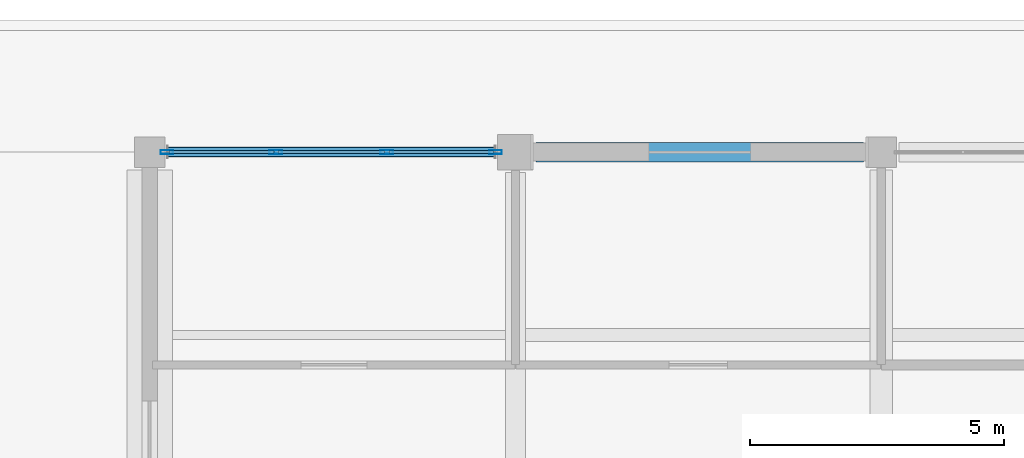
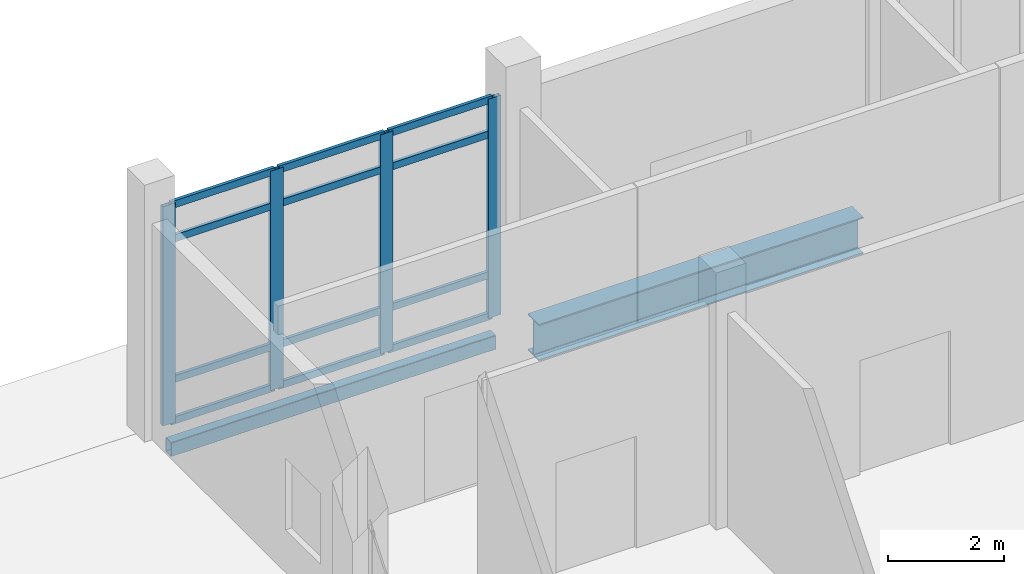
# One storey, part 135 of 229: 16 members, 2 beams, 1 element without a shape of its own.
"""IFC4 building model written with IfcOpenShell, lengths in metres."""

from ifc_helpers import new_model, si_unit, direction, frame, origin, origin_2d, place, context, subcontext, project, spatial, hollow_rectangle, i_section, extrude, material, layer, layer_set, material_profile, profile_set, type_object, element, aggregate, save


model = new_model("IFC4")

# Units and contexts
model_context = context("Model", 3, precision=1e-05, world=origin(), true_north=direction((0.0, 1.0)))
body_context = subcontext(model_context, "Body", "Model", "MODEL_VIEW")
ifc_project = project(units=[si_unit("LENGTHUNIT", "METRE"), si_unit("AREAUNIT", "SQUARE_METRE"), si_unit("VOLUMEUNIT", "CUBIC_METRE"), si_unit("PLANEANGLEUNIT", "RADIAN"), si_unit("MASSUNIT", "GRAM", prefix="KILO")], contexts=[model_context])

# Site, building, storey
site_placement = place(None, origin())
site = spatial("IfcSite", under=ifc_project, at=site_placement, CompositionType="ELEMENT")
building_placement = place(site_placement, origin())
building = spatial("IfcBuilding", under=site, at=building_placement, Name="Calvrana Isthmian Art Gallery", CompositionType="ELEMENT")
storey_placement = place(building_placement, origin())
storey = spatial("IfcBuildingStorey", under=building, at=storey_placement, Name="L00", CompositionType="ELEMENT", Elevation=0.0)

# Beams
ifc_material_1 = material(Name="Steel ASTM A992 Gr 50", Category="steel")
ifc_material_profile_1 = material_profile(ifc_material_1, i_section(OverallWidth=0.381103515625, OverallDepth=0.77197265625, WebThickness=0.0166015625, FlangeThickness=0.027099609375, FilletRadius=0.02490234375, at=origin_2d()), Name="W30X173")
ifc_profile_set_1 = profile_set([ifc_material_profile_1], Name="Steel ASTM A992 Gr 50")
beam_type_1 = type_object("IfcBeamType", Name="BM-G-W30X173", PredefinedType="BEAM", material=ifc_profile_set_1)
beam_1_placement = place(storey_placement, frame((142.0, 112.800048828125, -0.740966796875), z_axis=(1.0, 0.0, 0.0), x_axis=(0.0, 1.0, 0.0)))
element("IfcBeam", 1, at=beam_1_placement, inside=storey, type_object=beam_type_1, Name="Girder X L00 19-20/P", PredefinedType="BEAM", context=body_context, shape_type="SweptSolid", body=[
    extrude(i_section(OverallWidth=0.381103515625, OverallDepth=0.77197265625, WebThickness=0.0166015625, FlangeThickness=0.027099609375, FilletRadius=0.02490234375, at=origin_2d()), origin(), (0.0, 0.0, 1.0), 6.449951171875),
])
ifc_material_2 = material(Name="Steel ASTM A500 Gr C", Category="steel")
ifc_material_profile_2 = material_profile(ifc_material_2, hollow_rectangle(XDim=0.203125, YDim=0.3046875, WallThickness=0.0126953125, OuterFilletRadius=0.02490234375, at=origin_2d()), Name="HSS305X203X12.7")
ifc_profile_set_2 = profile_set([ifc_material_profile_2], Name="Steel ASTM A500 Gr C")
beam_type_2 = type_object("IfcBeamType", Name="BM-SP-HSS305", PredefinedType="SPANDREL", material=ifc_profile_set_2)
beam_2_placement = place(storey_placement, frame((134.75, 112.800048828125, -0.50732421875), z_axis=(1.0, 0.0, 0.0), x_axis=(0.0, 1.0, 0.0)))
element("IfcBeam", 2, at=beam_2_placement, inside=storey, type_object=beam_type_2, Name="Girder X L00 18-19/P", PredefinedType="SPANDREL", context=body_context, shape_type="SweptSolid", body=[
    extrude(hollow_rectangle(XDim=0.203125, YDim=0.3046875, WallThickness=0.0126953125, OuterFilletRadius=0.02490234375, at=origin_2d()), origin(), (0.0, 0.0, 1.0), 6.449951171875),
])

# Curtain wall, members
ifc_material_3 = material(Name="Anodized bronze aluminium 6063-T6", Category="aluminium")
ifc_layer = layer(ifc_material_3, 0.179931640625, Name="Anodized bronze aluminium 6063-T6")
ifc_layer_set = layer_set([ifc_layer], Name="Anodized bronze aluminium 6063-T6")
curtain_wall_type = type_object("IfcCurtainWallType", Name="CW-STICK-065X46", PredefinedType="NOTDEFINED", material=ifc_layer_set)
curtain_wall_placement = place(storey_placement, origin())
curtain_wall = element("IfcCurtainWall", 3, at=curtain_wall_placement, inside=storey, type_object=curtain_wall_type, Name="Curtain wall CW-047", PredefinedType="NOTDEFINED")
ifc_material_profile_3 = material_profile(ifc_material_3, hollow_rectangle(XDim=0.080078125, YDim=0.25, WallThickness=0.005615234375, at=origin_2d()), Name="CWM80X250")
ifc_profile_set_3 = profile_set([ifc_material_profile_3], Name="Anodized bronze aluminium 6063-T6")
member_type_1 = type_object("IfcMemberType", Name="CWM-CWM80X250", PredefinedType="MULLION", material=ifc_profile_set_3)
member_1_placement = place(storey_placement, frame((134.739990234375, 112.800048828125, 0.0), z_axis=(0.0, 0.0, 1.0), x_axis=(0.0, 1.0, 0.0)))
member_1 = element("IfcMember", 4, at=member_1_placement, type_object=member_type_1, Name="CW-047 mullion 1", PredefinedType="MULLION", context=body_context, shape_type="SweptSolid", body=[
    extrude(hollow_rectangle(XDim=0.080078125, YDim=0.25, WallThickness=0.005615234375, at=origin_2d()), origin(), (0.0, 0.0, 1.0), 4.60693359375),
])
member_2_placement = place(storey_placement, frame((136.88330078125, 112.800048828125, 0.0), z_axis=(0.0, 0.0, 1.0), x_axis=(0.0, 1.0, 0.0)))
member_2 = element("IfcMember", 5, at=member_2_placement, type_object=member_type_1, Name="CW-047 mullion 2", PredefinedType="MULLION", context=body_context, shape_type="SweptSolid", body=[
    extrude(hollow_rectangle(XDim=0.080078125, YDim=0.25, WallThickness=0.005615234375, at=origin_2d()), origin(), (0.0, 0.0, 1.0), 4.60693359375),
])
member_3_placement = place(storey_placement, frame((139.066650390625, 112.800048828125, 0.0), z_axis=(0.0, 0.0, 1.0), x_axis=(0.0, 1.0, 0.0)))
member_3 = element("IfcMember", 6, at=member_3_placement, type_object=member_type_1, Name="CW-047 mullion 3", PredefinedType="MULLION", context=body_context, shape_type="SweptSolid", body=[
    extrude(hollow_rectangle(XDim=0.080078125, YDim=0.25, WallThickness=0.005615234375, at=origin_2d()), origin(), (0.0, 0.0, 1.0), 4.60693359375),
])
member_4_placement = place(storey_placement, frame((141.2099609375, 112.800048828125, 0.0), z_axis=(0.0, 0.0, 1.0), x_axis=(0.0, 1.0, 0.0)))
member_4 = element("IfcMember", 7, at=member_4_placement, type_object=member_type_1, Name="CW-047 mullion 4", PredefinedType="MULLION", context=body_context, shape_type="SweptSolid", body=[
    extrude(hollow_rectangle(XDim=0.080078125, YDim=0.25, WallThickness=0.005615234375, at=origin_2d()), origin(), (0.0, 0.0, 1.0), 4.60693359375),
])
ifc_material_profile_4 = material_profile(ifc_material_3, hollow_rectangle(XDim=0.06494140625, YDim=0.14990234375, WallThickness=0.00390625, at=origin_2d()), Name="CWT65X150")
ifc_profile_set_4 = profile_set([ifc_material_profile_4], Name="Anodized bronze aluminium 6063-T6")
member_type_2 = type_object("IfcMemberType", Name="CWT-CWT65X150", PredefinedType="USERDEFINED", material=ifc_profile_set_4)
member_5_placement = place(storey_placement, frame((134.780029296875, 112.800048828125, 0.032470703125), z_axis=(1.0, 0.0, 0.0), x_axis=(0.0, 1.0, 0.0)))
member_5 = element("IfcMember", 8, at=member_5_placement, type_object=member_type_2, Name="CW-047 transom 1.1", ObjectType="TRANSOM", PredefinedType="USERDEFINED", context=body_context, shape_type="SweptSolid", body=[
    extrude(hollow_rectangle(XDim=0.06494140625, YDim=0.14990234375, WallThickness=0.00390625, at=origin_2d()), origin(), (0.0, 0.0, 1.0), 2.063232421875),
])
member_6_placement = place(storey_placement, frame((134.780029296875, 112.800048828125, 0.89990234375), z_axis=(1.0, 0.0, 0.0), x_axis=(0.0, 1.0, 0.0)))
member_6 = element("IfcMember", 9, at=member_6_placement, type_object=member_type_2, Name="CW-047 transom 1.2", ObjectType="TRANSOM", PredefinedType="USERDEFINED", context=body_context, shape_type="SweptSolid", body=[
    extrude(hollow_rectangle(XDim=0.06494140625, YDim=0.14990234375, WallThickness=0.00390625, at=origin_2d()), origin(), (0.0, 0.0, 1.0), 2.063232421875),
])
member_7_placement = place(storey_placement, frame((134.780029296875, 112.800048828125, 3.85693359375), z_axis=(1.0, 0.0, 0.0), x_axis=(0.0, 1.0, 0.0)))
member_7 = element("IfcMember", 10, at=member_7_placement, type_object=member_type_2, Name="CW-047 transom 1.3", ObjectType="TRANSOM", PredefinedType="USERDEFINED", context=body_context, shape_type="SweptSolid", body=[
    extrude(hollow_rectangle(XDim=0.06494140625, YDim=0.14990234375, WallThickness=0.00390625, at=origin_2d()), origin(), (0.0, 0.0, 1.0), 2.063232421875),
])
member_8_placement = place(storey_placement, frame((134.780029296875, 112.800048828125, 4.574462890625), z_axis=(1.0, 0.0, 0.0), x_axis=(0.0, 1.0, 0.0)))
member_8 = element("IfcMember", 11, at=member_8_placement, type_object=member_type_2, Name="CW-047 transom 1.4", ObjectType="TRANSOM", PredefinedType="USERDEFINED", context=body_context, shape_type="SweptSolid", body=[
    extrude(hollow_rectangle(XDim=0.06494140625, YDim=0.14990234375, WallThickness=0.00390625, at=origin_2d()), origin(), (0.0, 0.0, 1.0), 2.063232421875),
])
member_9_placement = place(storey_placement, frame((136.92333984375, 112.800048828125, 0.032470703125), z_axis=(1.0, 0.0, 0.0), x_axis=(0.0, 1.0, 0.0)))
member_9 = element("IfcMember", 12, at=member_9_placement, type_object=member_type_2, Name="CW-047 transom 2.1", ObjectType="TRANSOM", PredefinedType="USERDEFINED", context=body_context, shape_type="SweptSolid", body=[
    extrude(hollow_rectangle(XDim=0.06494140625, YDim=0.14990234375, WallThickness=0.00390625, at=origin_2d()), origin(), (0.0, 0.0, 1.0), 2.103271484375),
])
member_10_placement = place(storey_placement, frame((136.92333984375, 112.800048828125, 0.89990234375), z_axis=(1.0, 0.0, 0.0), x_axis=(0.0, 1.0, 0.0)))
member_10 = element("IfcMember", 13, at=member_10_placement, type_object=member_type_2, Name="CW-047 transom 2.2", ObjectType="TRANSOM", PredefinedType="USERDEFINED", context=body_context, shape_type="SweptSolid", body=[
    extrude(hollow_rectangle(XDim=0.06494140625, YDim=0.14990234375, WallThickness=0.00390625, at=origin_2d()), origin(), (0.0, 0.0, 1.0), 2.103271484375),
])
member_11_placement = place(storey_placement, frame((136.92333984375, 112.800048828125, 3.85693359375), z_axis=(1.0, 0.0, 0.0), x_axis=(0.0, 1.0, 0.0)))
member_11 = element("IfcMember", 14, at=member_11_placement, type_object=member_type_2, Name="CW-047 transom 2.3", ObjectType="TRANSOM", PredefinedType="USERDEFINED", context=body_context, shape_type="SweptSolid", body=[
    extrude(hollow_rectangle(XDim=0.06494140625, YDim=0.14990234375, WallThickness=0.00390625, at=origin_2d()), origin(), (0.0, 0.0, 1.0), 2.103271484375),
])
member_12_placement = place(storey_placement, frame((136.92333984375, 112.800048828125, 4.574462890625), z_axis=(1.0, 0.0, 0.0), x_axis=(0.0, 1.0, 0.0)))
member_12 = element("IfcMember", 15, at=member_12_placement, type_object=member_type_2, Name="CW-047 transom 2.4", ObjectType="TRANSOM", PredefinedType="USERDEFINED", context=body_context, shape_type="SweptSolid", body=[
    extrude(hollow_rectangle(XDim=0.06494140625, YDim=0.14990234375, WallThickness=0.00390625, at=origin_2d()), origin(), (0.0, 0.0, 1.0), 2.103271484375),
])
member_13_placement = place(storey_placement, frame((139.106689453125, 112.800048828125, 0.032470703125), z_axis=(1.0, 0.0, 0.0), x_axis=(0.0, 1.0, 0.0)))
member_13 = element("IfcMember", 16, at=member_13_placement, type_object=member_type_2, Name="CW-047 transom 3.1", ObjectType="TRANSOM", PredefinedType="USERDEFINED", context=body_context, shape_type="SweptSolid", body=[
    extrude(hollow_rectangle(XDim=0.06494140625, YDim=0.14990234375, WallThickness=0.00390625, at=origin_2d()), origin(), (0.0, 0.0, 1.0), 2.063232421875),
])
member_14_placement = place(storey_placement, frame((139.106689453125, 112.800048828125, 0.89990234375), z_axis=(1.0, 0.0, 0.0), x_axis=(0.0, 1.0, 0.0)))
member_14 = element("IfcMember", 17, at=member_14_placement, type_object=member_type_2, Name="CW-047 transom 3.2", ObjectType="TRANSOM", PredefinedType="USERDEFINED", context=body_context, shape_type="SweptSolid", body=[
    extrude(hollow_rectangle(XDim=0.06494140625, YDim=0.14990234375, WallThickness=0.00390625, at=origin_2d()), origin(), (0.0, 0.0, 1.0), 2.063232421875),
])
member_15_placement = place(storey_placement, frame((139.106689453125, 112.800048828125, 3.85693359375), z_axis=(1.0, 0.0, 0.0), x_axis=(0.0, 1.0, 0.0)))
member_15 = element("IfcMember", 18, at=member_15_placement, type_object=member_type_2, Name="CW-047 transom 3.3", ObjectType="TRANSOM", PredefinedType="USERDEFINED", context=body_context, shape_type="SweptSolid", body=[
    extrude(hollow_rectangle(XDim=0.06494140625, YDim=0.14990234375, WallThickness=0.00390625, at=origin_2d()), origin(), (0.0, 0.0, 1.0), 2.063232421875),
])
member_16_placement = place(storey_placement, frame((139.106689453125, 112.800048828125, 4.574462890625), z_axis=(1.0, 0.0, 0.0), x_axis=(0.0, 1.0, 0.0)))
member_16 = element("IfcMember", 19, at=member_16_placement, type_object=member_type_2, Name="CW-047 transom 3.4", ObjectType="TRANSOM", PredefinedType="USERDEFINED", context=body_context, shape_type="SweptSolid", body=[
    extrude(hollow_rectangle(XDim=0.06494140625, YDim=0.14990234375, WallThickness=0.00390625, at=origin_2d()), origin(), (0.0, 0.0, 1.0), 2.063232421875),
])
aggregate(curtain_wall, [member_1, member_2, member_3, member_4, member_5, member_6, member_7, member_8, member_9, member_10, member_11, member_12, member_13, member_14, member_15, member_16])

save(model, "model.ifc")
